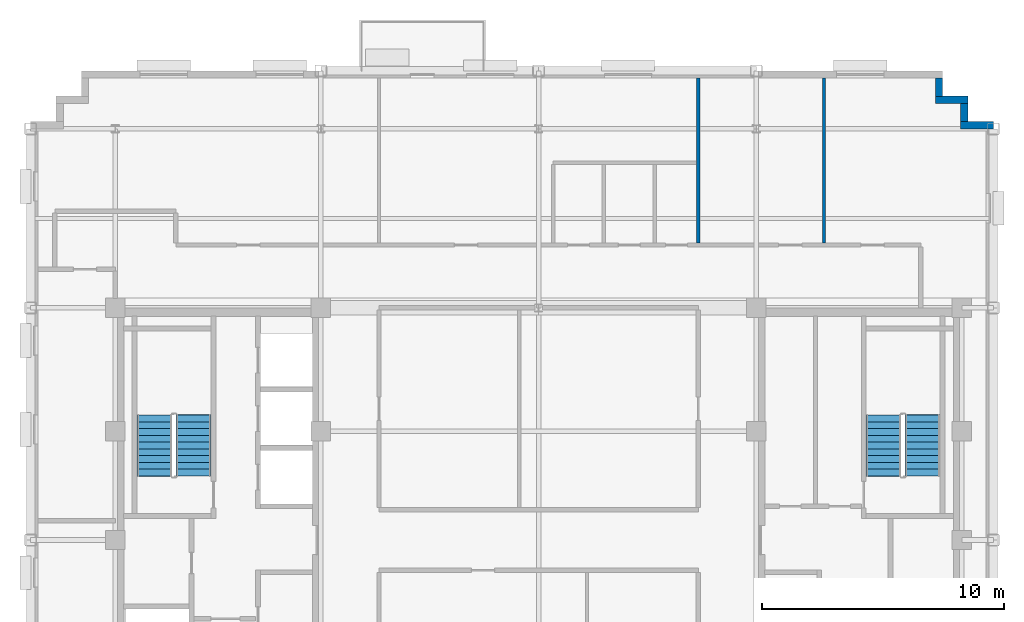
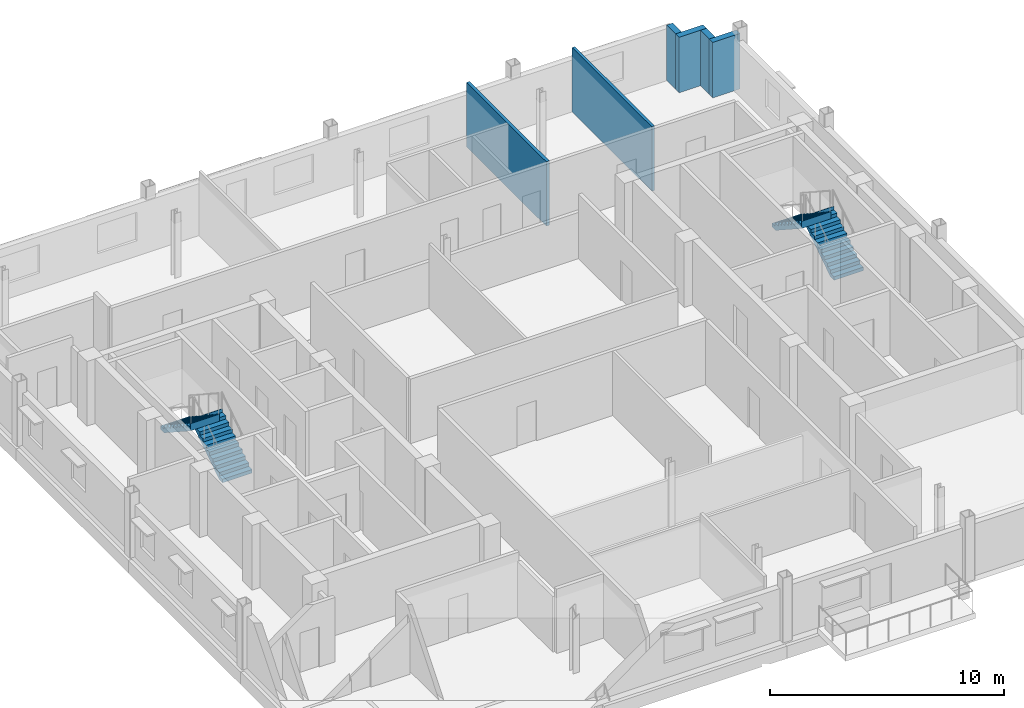
# One storey, part 9 of 13: 6 walls, 4 stair flights, 2 elements without a shape of their own.
"""IFC4 building model written with IfcOpenShell, lengths in metres."""

from ifc_helpers import new_model, si_unit, direction, frame, frame_2d, origin, place, context, subcontext, project, spatial, polyline, rectangle, outline, extrude, material, layer, layer_set, type_object, element, aggregate, save


model = new_model("IFC4")

# Units and contexts
model_context = context("Model", 3, precision=1e-05, world=origin(), true_north=direction((0.0, 1.0)))
body_context = subcontext(model_context, "Body", "Model", "MODEL_VIEW")
ifc_project = project(units=[si_unit("LENGTHUNIT", "METRE"), si_unit("AREAUNIT", "SQUARE_METRE"), si_unit("VOLUMEUNIT", "CUBIC_METRE"), si_unit("PLANEANGLEUNIT", "RADIAN"), si_unit("MASSUNIT", "GRAM", prefix="KILO")], contexts=[model_context])

# Site, building, storey
site_placement = place(None, origin())
site = spatial("IfcSite", under=ifc_project, at=site_placement, CompositionType="ELEMENT")
building_placement = place(site_placement, origin())
building = spatial("IfcBuilding", under=site, at=building_placement, Name="Nuvemarco Arch Tower", CompositionType="ELEMENT")
storey_placement = place(building_placement, frame((0.0, 0.0, 276.199951171875)))
storey = spatial("IfcBuildingStorey", under=building, at=storey_placement, Name="L73", CompositionType="ELEMENT", Elevation=276.199951171875)

# Walls
ifc_material_1 = material(Name="Precast concrete C45/55", Category="concrete")
ifc_layer_1 = layer(ifc_material_1, 0.300048828125, Name="EW-HIGH-300")
ifc_layer_set_1 = layer_set([ifc_layer_1], Name="Precast concrete C45/55")
wall_type_1 = type_object("IfcWallType", Name="EW-HIGH-300", PredefinedType="STANDARD", material=ifc_layer_set_1)
wall_1_placement = place(storey_placement, frame((17.449951171875, 17.14990234375, 0.0), z_axis=(0.0, 0.0, 1.0), x_axis=(1.0, 0.0, 0.0)))
element("IfcWall", 1, at=wall_1_placement, inside=storey, type_object=wall_type_1, Name="L73 exterior precast facade wall 7", PredefinedType="STANDARD", context=body_context, shape_type="SweptSolid", body=[
    extrude(rectangle(XDim=1.35009765625, YDim=0.300048828125, at=frame_2d((0.675048828125, 0.0))), origin(), (0.0, 0.0, 1.0), 2.89208984375),
])
wall_2_placement = place(storey_placement, frame((17.60009765625, 17.2958984375, 0.0), z_axis=(0.0, 0.0, 1.0), x_axis=(0.0, 1.0, 0.0)))
element("IfcWall", 2, at=wall_2_placement, inside=storey, type_object=wall_type_1, Name="L73 exterior precast facade wall 8", PredefinedType="STANDARD", context=body_context, shape_type="SweptSolid", body=[
    extrude(rectangle(XDim=0.758056640625, YDim=0.300048828125, at=frame_2d((0.37890625, 0.0))), origin(), (0.0, 0.0, 1.0), 2.89208984375),
])
wall_3_placement = place(storey_placement, frame((16.39990234375, 18.199951171875, 0.0), z_axis=(0.0, 0.0, 1.0), x_axis=(1.0, 0.0, 0.0)))
element("IfcWall", 3, at=wall_3_placement, inside=storey, type_object=wall_type_1, Name="L73 exterior precast facade wall 9", PredefinedType="STANDARD", context=body_context, shape_type="SweptSolid", body=[
    extrude(rectangle(XDim=1.35009765625, YDim=0.300048828125, at=frame_2d((0.675048828125, 0.0))), origin(), (0.0, 0.0, 1.0), 2.89208984375),
])
wall_4_placement = place(storey_placement, frame((16.550048828125, 18.345947265625, 0.0), z_axis=(0.0, 0.0, 1.0), x_axis=(0.0, 1.0, 0.0)))
element("IfcWall", 4, at=wall_4_placement, inside=storey, type_object=wall_type_1, Name="L73 exterior precast facade wall 10", PredefinedType="STANDARD", context=body_context, shape_type="SweptSolid", body=[
    extrude(rectangle(XDim=0.758056640625, YDim=0.300048828125, at=frame_2d((0.37890625, 0.0))), origin(), (0.0, 0.0, 1.0), 2.89208984375),
])
ifc_material_2 = material(Name="Gypsum plasterboard partition")
ifc_layer_2 = layer(ifc_material_2, 0.139892578125, Name="WL-ROOM-140")
ifc_layer_set_2 = layer_set([ifc_layer_2], Name="Gypsum plasterboard partition")
wall_type_2 = type_object("IfcWallType", Name="WL-ROOM-140", PredefinedType="PARTITIONING", material=ifc_layer_set_2)
wall_5_placement = place(storey_placement, frame((11.800048828125, 12.285888671875, 0.0), z_axis=(0.0, 0.0, 1.0), x_axis=(0.0, 1.0, 0.0)))
element("IfcWall", 5, at=wall_5_placement, inside=storey, type_object=wall_type_2, Name="L73 interior wall IW-L73-038", PredefinedType="PARTITIONING", context=body_context, shape_type="SweptSolid", body=[
    extrude(rectangle(XDim=6.814208984375, YDim=0.139892578125, at=frame_2d((3.4072265625, 0.0))), origin(), (0.0, 0.0, 1.0), 3.360107421875),
])
ifc_material_3 = material(Name="Moisture-resistant gypsum partition")
ifc_layer_3 = layer(ifc_material_3, 0.14990234375, Name="WL-WET-150")
ifc_layer_set_3 = layer_set([ifc_layer_3], Name="Moisture-resistant gypsum partition")
wall_type_3 = type_object("IfcWallType", Name="WL-WET-150", PredefinedType="PARTITIONING", material=ifc_layer_set_3)
wall_6_placement = place(storey_placement, frame((6.60009765625, 12.285888671875, 0.0), z_axis=(0.0, 0.0, 1.0), x_axis=(0.0, 1.0, 0.0)))
element("IfcWall", 6, at=wall_6_placement, inside=storey, type_object=wall_type_3, Name="L73 interior wall IW-L73-036", PredefinedType="PARTITIONING", context=body_context, shape_type="SweptSolid", body=[
    extrude(rectangle(XDim=6.814208984375, YDim=0.14990234375, at=frame_2d((3.4072265625, 0.0))), origin(), (0.0, 0.0, 1.0), 3.360107421875),
])

# Stair, stair flights
stair_type = type_object("IfcStairType", Name="ST-CORE-20R", PredefinedType="HALF_TURN_STAIR", material=ifc_material_1)
stair_1_placement = place(storey_placement, origin())
stair_1 = element("IfcStair", 7, at=stair_1_placement, inside=storey, type_object=stair_type, Name="L73 Protected Exit Stair ST-1", PredefinedType="HALF_TURN_STAIR")
stair_flight_type = type_object("IfcStairFlightType", Name="SF-CORE-20R", PredefinedType="STRAIGHT", material=ifc_material_1)
stair_flight_1_placement = place(storey_placement, frame((-14.264892578125, 2.64990234375, 0.0), z_axis=(0.0, 0.0, 1.0), x_axis=(0.0, 1.0, 0.0)))
stair_flight_1 = element("IfcStairFlight", 8, at=stair_flight_1_placement, type_object=stair_flight_type, Name="ST-20R flight 1", NumberOfRisers=10, NumberOfTreads=9, PredefinedType="STRAIGHT", RiserHeight=0.1825, TreadLength=0.28, context=body_context, shape_type="SweptSolid", body=[
    extrude(outline(polyline([(0.0, 0.0), (0.0, 0.1826171875), (0.280029296875, 0.1826171875), (0.280029296875, 0.364990234375), (0.56005859375, 0.364990234375), (0.56005859375, 0.547607421875), (0.840087890625, 0.547607421875), (0.840087890625, 0.72998046875), (1.1201171875, 0.72998046875), (1.1201171875, 0.91259765625), (1.39990234375, 0.91259765625), (1.39990234375, 1.094970703125), (1.679931640625, 1.094970703125), (1.679931640625, 1.277587890625), (1.9599609375, 1.277587890625), (1.9599609375, 1.4599609375), (2.239990234375, 1.4599609375), (2.239990234375, 1.642578125), (2.52001953125, 1.642578125), (2.52001953125, 1.824951171875), (2.5400390625, 1.824951171875), (2.5400390625, 1.45166015625), (0.312744140625, 0.0), (0.0, 0.0)])), frame((0.0, 0.72509765625, 0.0), z_axis=(0.0, -1.0, 0.0), x_axis=(1.0, 0.0, 0.0)), (0.0, 0.0, 1.0), 1.449951171875),
])
stair_flight_2_placement = place(storey_placement, frame((-15.875, 5.169921875, 1.824951171875), z_axis=(0.0, 0.0, 1.0), x_axis=(0.0, -1.0, 0.0)))
stair_flight_2 = element("IfcStairFlight", 9, at=stair_flight_2_placement, type_object=stair_flight_type, Name="ST-20R flight 2", NumberOfRisers=10, NumberOfTreads=9, PredefinedType="STRAIGHT", RiserHeight=0.1825, TreadLength=0.28, context=body_context, shape_type="SweptSolid", body=[
    extrude(outline(polyline([(0.0, 0.0), (0.0, 0.1826171875), (0.280029296875, 0.1826171875), (0.280029296875, 0.364990234375), (0.56005859375, 0.364990234375), (0.56005859375, 0.547607421875), (0.840087890625, 0.547607421875), (0.840087890625, 0.72998046875), (1.1201171875, 0.72998046875), (1.1201171875, 0.91259765625), (1.39990234375, 0.91259765625), (1.39990234375, 1.094970703125), (1.679931640625, 1.094970703125), (1.679931640625, 1.277587890625), (1.9599609375, 1.277587890625), (1.9599609375, 1.4599609375), (2.239990234375, 1.4599609375), (2.239990234375, 1.642578125), (2.52001953125, 1.642578125), (2.52001953125, 1.824951171875), (2.5400390625, 1.824951171875), (2.5400390625, 1.45166015625), (0.312744140625, 0.0), (0.0, 0.0)])), frame((0.0, 0.72509765625, 0.0), z_axis=(0.0, -1.0, 0.0), x_axis=(1.0, 0.0, 0.0)), (0.0, 0.0, 1.0), 1.449951171875),
])
aggregate(stair_1, [stair_flight_1, stair_flight_2])

stair_2_placement = place(storey_placement, origin())
stair_2 = element("IfcStair", 10, at=stair_2_placement, inside=storey, type_object=stair_type, Name="L73 Protected Exit Stair ST-2", PredefinedType="HALF_TURN_STAIR")
stair_flight_3_placement = place(storey_placement, frame((15.875, 2.64990234375, 0.0), z_axis=(0.0, 0.0, 1.0), x_axis=(0.0, 1.0, 0.0)))
stair_flight_3 = element("IfcStairFlight", 11, at=stair_flight_3_placement, type_object=stair_flight_type, Name="ST-20R flight 1", NumberOfRisers=10, NumberOfTreads=9, PredefinedType="STRAIGHT", RiserHeight=0.1825, TreadLength=0.28, context=body_context, shape_type="SweptSolid", body=[
    extrude(outline(polyline([(0.0, 0.0), (0.0, 0.1826171875), (0.280029296875, 0.1826171875), (0.280029296875, 0.364990234375), (0.56005859375, 0.364990234375), (0.56005859375, 0.547607421875), (0.840087890625, 0.547607421875), (0.840087890625, 0.72998046875), (1.1201171875, 0.72998046875), (1.1201171875, 0.91259765625), (1.39990234375, 0.91259765625), (1.39990234375, 1.094970703125), (1.679931640625, 1.094970703125), (1.679931640625, 1.277587890625), (1.9599609375, 1.277587890625), (1.9599609375, 1.4599609375), (2.239990234375, 1.4599609375), (2.239990234375, 1.642578125), (2.52001953125, 1.642578125), (2.52001953125, 1.824951171875), (2.5400390625, 1.824951171875), (2.5400390625, 1.45166015625), (0.312744140625, 0.0), (0.0, 0.0)])), frame((0.0, 0.72509765625, 0.0), z_axis=(0.0, -1.0, 0.0), x_axis=(1.0, 0.0, 0.0)), (0.0, 0.0, 1.0), 1.449951171875),
])
stair_flight_4_placement = place(storey_placement, frame((14.264892578125, 5.169921875, 1.824951171875), z_axis=(0.0, 0.0, 1.0), x_axis=(0.0, -1.0, 0.0)))
stair_flight_4 = element("IfcStairFlight", 12, at=stair_flight_4_placement, type_object=stair_flight_type, Name="ST-20R flight 2", NumberOfRisers=10, NumberOfTreads=9, PredefinedType="STRAIGHT", RiserHeight=0.1825, TreadLength=0.28, context=body_context, shape_type="SweptSolid", body=[
    extrude(outline(polyline([(0.0, 0.0), (0.0, 0.1826171875), (0.280029296875, 0.1826171875), (0.280029296875, 0.364990234375), (0.56005859375, 0.364990234375), (0.56005859375, 0.547607421875), (0.840087890625, 0.547607421875), (0.840087890625, 0.72998046875), (1.1201171875, 0.72998046875), (1.1201171875, 0.91259765625), (1.39990234375, 0.91259765625), (1.39990234375, 1.094970703125), (1.679931640625, 1.094970703125), (1.679931640625, 1.277587890625), (1.9599609375, 1.277587890625), (1.9599609375, 1.4599609375), (2.239990234375, 1.4599609375), (2.239990234375, 1.642578125), (2.52001953125, 1.642578125), (2.52001953125, 1.824951171875), (2.5400390625, 1.824951171875), (2.5400390625, 1.45166015625), (0.312744140625, 0.0), (0.0, 0.0)])), frame((0.0, 0.72509765625, 0.0), z_axis=(0.0, -1.0, 0.0), x_axis=(1.0, 0.0, 0.0)), (0.0, 0.0, 1.0), 1.449951171875),
])
aggregate(stair_2, [stair_flight_3, stair_flight_4])

save(model, "model.ifc")
